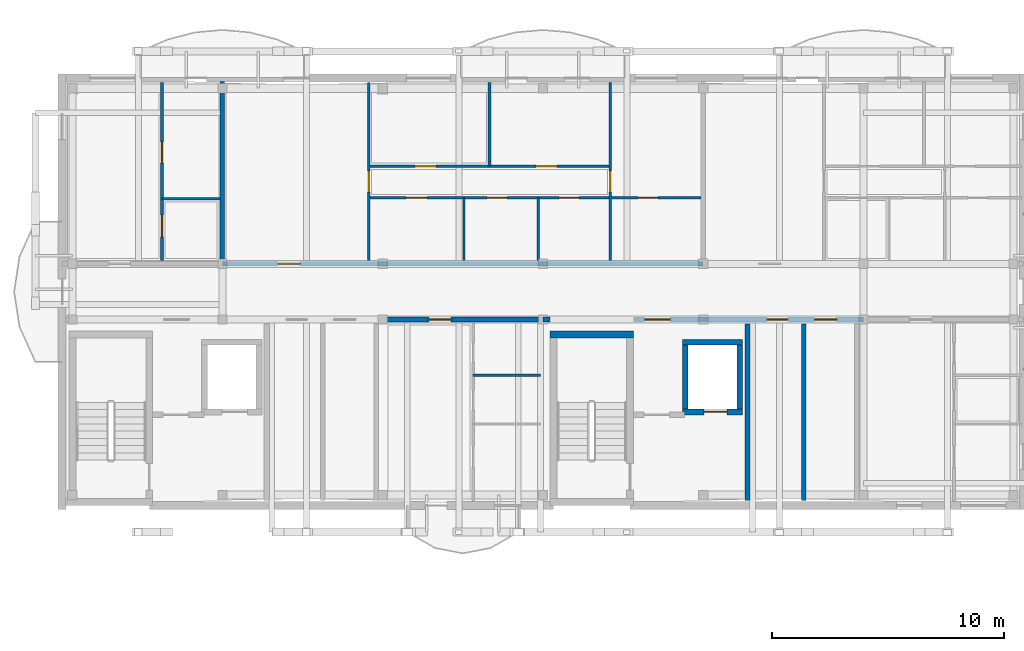
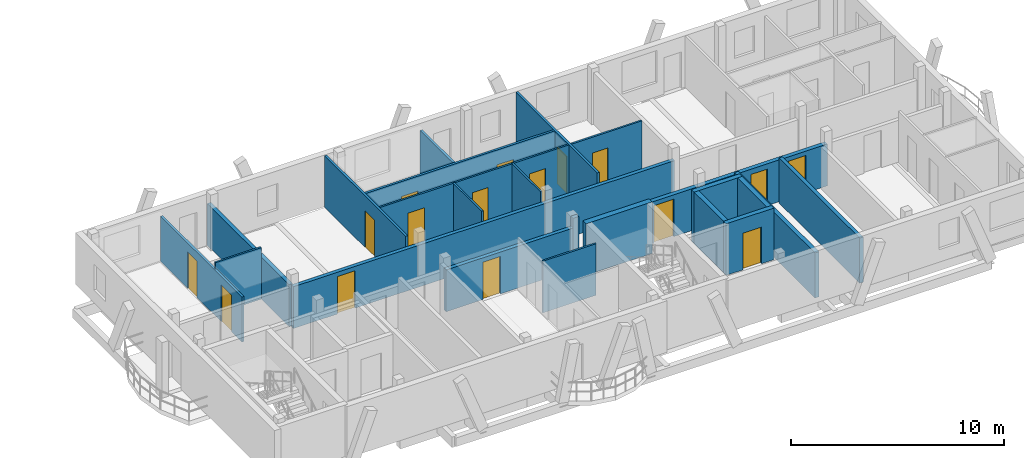
# One storey, part 22 of 33: 22 walls, 16 doors, 16 openings.
"""IFC4 building model written with IfcOpenShell, lengths in metres."""

from ifc_helpers import new_model, si_unit, direction, frame, frame_2d, origin, origin_with_axes, place, context, subcontext, project, spatial, rectangle, extrude, material, layer, layer_set, type_object, element, fill, save


model = new_model("IFC4")

# Units and contexts
model_context = context("Model", 3, precision=1e-05, world=origin(), true_north=direction((0.0, 1.0)))
body_context = subcontext(model_context, "Body", "Model", "MODEL_VIEW")
ifc_project = project(units=[si_unit("LENGTHUNIT", "METRE"), si_unit("AREAUNIT", "SQUARE_METRE"), si_unit("VOLUMEUNIT", "CUBIC_METRE"), si_unit("PLANEANGLEUNIT", "RADIAN"), si_unit("MASSUNIT", "GRAM", prefix="KILO")], contexts=[model_context])

# Site, building, storey
site_placement = place(None, origin())
site = spatial("IfcSite", under=ifc_project, at=site_placement, CompositionType="ELEMENT")
building_placement = place(site_placement, origin())
building = spatial("IfcBuilding", under=site, at=building_placement, Name="Zavelmont Quarter", CompositionType="ELEMENT")
storey_placement = place(building_placement, frame((0.0, 0.0, 30.39990234375)))
storey = spatial("IfcBuildingStorey", under=building, at=storey_placement, Name="L09", CompositionType="ELEMENT", Elevation=30.39990234375)

# Walls
ifc_material_1 = material(Name="Calcium-silicate blockwork and acoustic plaster", Category="masonry")
ifc_layer_1 = layer(ifc_material_1, 0.199951171875)
ifc_layer_set_1 = layer_set([ifc_layer_1], Name="Calcium-silicate blockwork and acoustic plaster")
wall_type_1 = type_object("IfcWallType", Name="IW01", PredefinedType="PARTITIONING", material=ifc_layer_set_1)
wall_1_placement = place(storey_placement, frame((158.52490234375, 97.800048828125, 0.0), z_axis=(0.0, 0.0, 1.0), x_axis=(0.0, 1.0, 0.0)))
element("IfcWall", 1, at=wall_1_placement, inside=storey, type_object=wall_type_1, Name="L09 Service riser divider wall IW01", PredefinedType="PARTITIONING", context=body_context, shape_type="SweptSolid", body=[
    extrude(rectangle(XDim=7.599853515625, YDim=0.199951171875, at=frame_2d((3.7998046875, 0.0))), origin(), (0.0, 0.0, 1.0), 2.590087890625),
])
wall_2_placement = place(storey_placement, frame((133.5, 108.14990234375, 0.0), z_axis=(0.0, 0.0, 1.0), x_axis=(0.0, 1.0, 0.0)))
element("IfcWall", 2, at=wall_2_placement, inside=storey, type_object=wall_type_1, Name="L09 Inter-dwelling compartment wall IW01", PredefinedType="PARTITIONING", context=body_context, shape_type="SweptSolid", body=[
    extrude(rectangle(XDim=7.7001953125, YDim=0.199951171875, at=frame_2d((3.85009765625, 0.0))), origin(), (0.0, 0.0, 1.0), 2.400146484375),
])

# Wall, opening, door
wall_3_placement = place(storey_placement, frame((133.5, 108.0, 0.0), z_axis=(0.0, 0.0, 1.0), x_axis=(1.0, 0.0, 0.0)))
wall_3 = element("IfcWall", 3, at=wall_3_placement, inside=storey, type_object=wall_type_1, Name="L09 Corridor compartment wall IW01", PredefinedType="PARTITIONING", context=body_context, shape_type="SweptSolid", body=[
    extrude(rectangle(XDim=20.699951171875, YDim=0.199951171875, at=frame_2d((10.35009765625, 0.0))), origin(), (0.0, 0.0, 1.0), 2.400146484375),
])
opening_1_placement = place(wall_3_placement, frame((2.39990234375, 0.0, 0.0)))
opening_1 = element("IfcOpeningElement", 4, at=opening_1_placement, cuts=wall_3, Name="Opening DR02", PredefinedType="OPENING", context=body_context, shape_type="SweptSolid", body=[
    extrude(rectangle(XDim=0.949951171875, YDim=2.14990234375, at=frame_2d((0.47509765625, 1.074951171875))), frame((0.0, 0.11181640625, 0.0), z_axis=(0.0, -1.0, 0.0), x_axis=(1.0, 0.0, 0.0)), (0.0, 0.0, 1.0), 0.223876953125),
])
ifc_material_2 = material(Name="Solid-core oak fire leaf in steel frame", Category="steel")
door_type_1 = type_object("IfcDoorType", Name="DR02", OperationType="NOTDEFINED", PredefinedType="DOOR", material=ifc_material_2)
door_1_placement = place(opening_1_placement, origin_with_axes())
door_1 = element("IfcDoor", 5, at=door_1_placement, inside=storey, type_object=door_type_1, Name="L09 door DR02", OperationType="SINGLE_SWING_LEFT", OverallHeight=2.14990234375, OverallWidth=0.949951171875, PredefinedType="DOOR", context=body_context, shape_type="SweptSolid", body=[
    extrude(rectangle(XDim=0.949951171875, YDim=2.14990234375, at=frame_2d((0.47509765625, 1.074951171875))), frame((0.0, 0.02490234375, 0.0), z_axis=(0.0, -1.0, 0.0), x_axis=(1.0, 0.0, 0.0)), (0.0, 0.0, 1.0), 0.050048828125),
])
fill(opening_1, door_1)

wall_4_placement = place(storey_placement, frame((140.39990234375, 105.60009765625, 0.0), z_axis=(0.0, 0.0, 1.0), x_axis=(1.0, 0.0, 0.0)))
wall_4 = element("IfcWall", 6, at=wall_4_placement, inside=storey, type_object=wall_type_1, Name="L09 Corridor compartment wall IW01", PredefinedType="PARTITIONING", context=body_context, shape_type="SweptSolid", body=[
    extrude(rectangle(XDim=6.900146484375, YDim=0.199951171875, at=frame_2d((3.4501953125, 0.0))), origin(), (0.0, 0.0, 1.0), 2.400146484375),
])
opening_2_placement = place(wall_4_placement, frame((2.0, 0.0, 0.0)))
opening_2 = element("IfcOpeningElement", 7, at=opening_2_placement, cuts=wall_4, Name="Opening DR02", PredefinedType="OPENING", context=body_context, shape_type="SweptSolid", body=[
    extrude(rectangle(XDim=0.949951171875, YDim=2.14990234375, at=frame_2d((0.47509765625, 1.074951171875))), frame((0.0, 0.11181640625, 0.0), z_axis=(0.0, -1.0, 0.0), x_axis=(1.0, 0.0, 0.0)), (0.0, 0.0, 1.0), 0.223876953125),
])
door_2_placement = place(opening_2_placement, frame((0.949951171875, 0.0, 0.0), z_axis=(0.0, 0.0, 1.0), x_axis=(-1.0, 0.0, 0.0)))
door_2 = element("IfcDoor", 8, at=door_2_placement, inside=storey, type_object=door_type_1, Name="L09 door DR02", OperationType="SINGLE_SWING_LEFT", OverallHeight=2.14990234375, OverallWidth=0.949951171875, PredefinedType="DOOR", context=body_context, shape_type="SweptSolid", body=[
    extrude(rectangle(XDim=0.949951171875, YDim=2.14990234375, at=frame_2d((0.47509765625, 1.074951171875))), frame((0.0, 0.02490234375, 0.0), z_axis=(0.0, -1.0, 0.0), x_axis=(1.0, 0.0, 0.0)), (0.0, 0.0, 1.0), 0.050048828125),
])
fill(opening_2, door_2)

# Walls
ifc_material_3 = material(Name="Reinforced masonry fire compartment wall", Category="masonry")
ifc_layer_2 = layer(ifc_material_3, 0.22509765625)
ifc_layer_set_2 = layer_set([ifc_layer_2], Name="Reinforced masonry fire compartment wall")
wall_type_2 = type_object("IfcWallType", Name="IW02", PredefinedType="PARTITIONING", material=ifc_layer_set_2)
wall_5_placement = place(storey_placement, frame((156.110107421875, 97.800048828125, 0.0), z_axis=(0.0, 0.0, 1.0), x_axis=(0.0, 1.0, 0.0)))
element("IfcWall", 9, at=wall_5_placement, inside=storey, type_object=wall_type_2, Name="L09 Firefighting lobby enclosure wall IW02", PredefinedType="PARTITIONING", context=body_context, shape_type="SweptSolid", body=[
    extrude(rectangle(XDim=7.599853515625, YDim=0.22509765625, at=frame_2d((3.7998046875, 0.0))), origin(), (0.0, 0.0, 1.0), 2.590087890625),
])
wall_6_placement = place(storey_placement, frame((147.300048828125, 105.60009765625, 0.0), z_axis=(0.0, 0.0, 1.0), x_axis=(1.0, 0.0, 0.0)))
element("IfcWall", 10, at=wall_6_placement, inside=storey, type_object=wall_type_2, Name="L09 Core corridor wall IW02", PredefinedType="PARTITIONING", context=body_context, shape_type="SweptSolid", body=[
    extrude(rectangle(XDim=0.300048828125, YDim=0.22509765625, at=frame_2d((0.14990234375, 0.0))), origin(), (0.0, 0.0, 1.0), 2.960205078125),
])

# Wall, openings, doors
wall_7_placement = place(storey_placement, frame((151.199951171875, 105.60009765625, 0.0), z_axis=(0.0, 0.0, 1.0), x_axis=(1.0, 0.0, 0.0)))
wall_7 = element("IfcWall", 11, at=wall_7_placement, inside=storey, type_object=wall_type_2, Name="L09 Core corridor fire wall IW02", PredefinedType="PARTITIONING", context=body_context, shape_type="SweptSolid", body=[
    extrude(rectangle(XDim=9.900146484375, YDim=0.22509765625, at=frame_2d((4.9501953125, 0.0))), origin(), (0.0, 0.0, 1.0), 2.400146484375),
])
opening_3_placement = place(wall_7_placement, frame((0.47509765625, 0.0, 0.0)))
opening_3 = element("IfcOpeningElement", 12, at=opening_3_placement, cuts=wall_7, Name="Opening DR10", PredefinedType="OPENING", context=body_context, shape_type="SweptSolid", body=[
    extrude(rectangle(XDim=1.10009765625, YDim=2.14990234375, at=frame_2d((0.550048828125, 1.074951171875))), frame((0.0, 0.12451171875, 0.0), z_axis=(0.0, -1.0, 0.0), x_axis=(1.0, 0.0, 0.0)), (0.0, 0.0, 1.0), 0.2490234375),
])
opening_4_placement = place(wall_7_placement, frame((5.75, 0.0, 0.0)))
opening_4 = element("IfcOpeningElement", 13, at=opening_4_placement, cuts=wall_7, Name="Opening DR11", PredefinedType="OPENING", context=body_context, shape_type="SweptSolid", body=[
    extrude(rectangle(XDim=0.89990234375, YDim=2.10009765625, at=frame_2d((0.449951171875, 1.050048828125))), frame((0.0, 0.12451171875, 0.0), z_axis=(0.0, -1.0, 0.0), x_axis=(1.0, 0.0, 0.0)), (0.0, 0.0, 1.0), 0.2490234375),
])
opening_5_placement = place(wall_7_placement, frame((7.800048828125, 0.0, 0.0)))
opening_5 = element("IfcOpeningElement", 14, at=opening_5_placement, cuts=wall_7, Name="Opening DR02", PredefinedType="OPENING", context=body_context, shape_type="SweptSolid", body=[
    extrude(rectangle(XDim=0.949951171875, YDim=2.14990234375, at=frame_2d((0.47509765625, 1.074951171875))), frame((0.0, 0.12451171875, 0.0), z_axis=(0.0, -1.0, 0.0), x_axis=(1.0, 0.0, 0.0)), (0.0, 0.0, 1.0), 0.2490234375),
])
door_3_placement = place(opening_5_placement, origin_with_axes())
door_3 = element("IfcDoor", 15, at=door_3_placement, inside=storey, type_object=door_type_1, Name="Auxiliary store corridor door", OperationType="SINGLE_SWING_RIGHT", OverallHeight=2.14990234375, OverallWidth=0.949951171875, PredefinedType="DOOR", context=body_context, shape_type="SweptSolid", body=[
    extrude(rectangle(XDim=0.949951171875, YDim=2.14990234375, at=frame_2d((0.47509765625, 1.074951171875))), frame((0.0, 0.02490234375, 0.0), z_axis=(0.0, -1.0, 0.0), x_axis=(1.0, 0.0, 0.0)), (0.0, 0.0, 1.0), 0.050048828125),
])
fill(opening_5, door_3)
ifc_material_4 = material(Name="Painted steel lobby fire door", Category="steel")
door_type_2 = type_object("IfcDoorType", Name="DR10", OperationType="NOTDEFINED", PredefinedType="DOOR", material=ifc_material_4)
door_4_placement = place(opening_3_placement, frame((1.10009765625, 0.0, 0.0), z_axis=(0.0, 0.0, 1.0), x_axis=(-1.0, 0.0, 0.0)))
door_4 = element("IfcDoor", 16, at=door_4_placement, inside=storey, type_object=door_type_2, Name="Core vestibule fire door", OperationType="SINGLE_SWING_LEFT", OverallHeight=2.14990234375, OverallWidth=1.10009765625, PredefinedType="DOOR", context=body_context, shape_type="SweptSolid", body=[
    extrude(rectangle(XDim=1.10009765625, YDim=2.14990234375, at=frame_2d((0.550048828125, 1.074951171875))), frame((0.0, 0.02490234375, 0.0), z_axis=(0.0, -1.0, 0.0), x_axis=(1.0, 0.0, 0.0)), (0.0, 0.0, 1.0), 0.050048828125),
])
fill(opening_3, door_4)
ifc_material_5 = material(Name="Painted steel service-riser fire door", Category="steel")
door_type_3 = type_object("IfcDoorType", Name="DR11", OperationType="NOTDEFINED", PredefinedType="DOOR", material=ifc_material_5)
door_5_placement = place(opening_4_placement, origin_with_axes())
door_5 = element("IfcDoor", 17, at=door_5_placement, inside=storey, type_object=door_type_3, Name="Service riser fire door", OperationType="SINGLE_SWING_LEFT", OverallHeight=2.10009765625, OverallWidth=0.89990234375, PredefinedType="DOOR", context=body_context, shape_type="SweptSolid", body=[
    extrude(rectangle(XDim=0.89990234375, YDim=2.10009765625, at=frame_2d((0.449951171875, 1.050048828125))), frame((0.0, 0.02490234375, 0.0), z_axis=(0.0, -1.0, 0.0), x_axis=(1.0, 0.0, 0.0)), (0.0, 0.0, 1.0), 0.050048828125),
])
fill(opening_4, door_5)

ifc_material_6 = material(Name="Double gypsum board on acoustic steel stud", Category="steel")
ifc_layer_3 = layer(ifc_material_6, 0.125)
ifc_layer_set_3 = layer_set([ifc_layer_3], Name="Double gypsum board on acoustic steel stud")
wall_type_3 = type_object("IfcWallType", Name="IW03", PredefinedType="PARTITIONING", material=ifc_layer_set_3)
wall_8_placement = place(storey_placement, frame((130.89990234375, 108.14990234375, 0.0), z_axis=(0.0, 0.0, 1.0), x_axis=(0.0, 1.0, 0.0)))
wall_8 = element("IfcWall", 18, at=wall_8_placement, inside=storey, type_object=wall_type_3, Name="L09 Partition IW03", PredefinedType="PARTITIONING", context=body_context, shape_type="SweptSolid", body=[
    extrude(rectangle(XDim=7.650146484375, YDim=0.125, at=frame_2d((3.8251953125, 0.0))), origin(), (0.0, 0.0, 1.0), 2.590087890625),
])
opening_6_placement = place(wall_8_placement, frame((1.0, 0.0, 0.0)))
opening_6 = element("IfcOpeningElement", 19, at=opening_6_placement, cuts=wall_8, Name="Opening DR17", PredefinedType="OPENING", context=body_context, shape_type="SweptSolid", body=[
    extrude(rectangle(XDim=0.949951171875, YDim=2.10009765625, at=frame_2d((0.47509765625, 1.050048828125))), frame((0.0, 0.074462890625, 0.0), z_axis=(0.0, -1.0, 0.0), x_axis=(1.0, 0.0, 0.0)), (0.0, 0.0, 1.0), 0.14892578125),
])
opening_7_placement = place(wall_8_placement, frame((4.199951171875, 0.0, 0.0)))
opening_7 = element("IfcOpeningElement", 20, at=opening_7_placement, cuts=wall_8, Name="Opening DR05", PredefinedType="OPENING", context=body_context, shape_type="SweptSolid", body=[
    extrude(rectangle(XDim=0.89990234375, YDim=2.10009765625, at=frame_2d((0.449951171875, 1.050048828125))), frame((0.0, 0.074462890625, 0.0), z_axis=(0.0, -1.0, 0.0), x_axis=(1.0, 0.0, 0.0)), (0.0, 0.0, 1.0), 0.14892578125),
])
ifc_material_7 = material(Name="Engineered oak flush interior door")
door_type_4 = type_object("IfcDoorType", Name="DR05", OperationType="NOTDEFINED", PredefinedType="DOOR", material=ifc_material_7)
door_6_placement = place(opening_7_placement, frame((0.89990234375, 0.0, 0.0), z_axis=(0.0, 0.0, 1.0), x_axis=(-1.0, 0.0, 0.0)))
door_6 = element("IfcDoor", 21, at=door_6_placement, inside=storey, type_object=door_type_4, Name="L09 door DR05", OperationType="SINGLE_SWING_RIGHT", OverallHeight=2.10009765625, OverallWidth=0.89990234375, PredefinedType="DOOR", context=body_context, shape_type="SweptSolid", body=[
    extrude(rectangle(XDim=0.89990234375, YDim=2.10009765625, at=frame_2d((0.449951171875, 1.050048828125))), frame((0.0, 0.02490234375, 0.0), z_axis=(0.0, -1.0, 0.0), x_axis=(1.0, 0.0, 0.0)), (0.0, 0.0, 1.0), 0.050048828125),
])
fill(opening_7, door_6)
ifc_material_8 = material(Name="Accessible washroom flush door")
door_type_5 = type_object("IfcDoorType", Name="DR17", OperationType="NOTDEFINED", PredefinedType="DOOR", material=ifc_material_8)
door_7_placement = place(opening_6_placement, origin_with_axes())
door_7 = element("IfcDoor", 22, at=door_7_placement, inside=storey, type_object=door_type_5, Name="L09 door DR17", OperationType="SINGLE_SWING_LEFT", OverallHeight=2.10009765625, OverallWidth=0.949951171875, PredefinedType="DOOR", context=body_context, shape_type="SweptSolid", body=[
    extrude(rectangle(XDim=0.949951171875, YDim=2.10009765625, at=frame_2d((0.47509765625, 1.050048828125))), frame((0.0, 0.02490234375, 0.0), z_axis=(0.0, -1.0, 0.0), x_axis=(1.0, 0.0, 0.0)), (0.0, 0.0, 1.0), 0.050048828125),
])
fill(opening_6, door_7)

# Wall, opening, door
wall_9_placement = place(storey_placement, frame((139.800048828125, 108.14990234375, 0.0), z_axis=(0.0, 0.0, 1.0), x_axis=(0.0, 1.0, 0.0)))
wall_9 = element("IfcWall", 23, at=wall_9_placement, inside=storey, type_object=wall_type_3, Name="L09 Partition IW03", PredefinedType="PARTITIONING", context=body_context, shape_type="SweptSolid", body=[
    extrude(rectangle(XDim=7.650146484375, YDim=0.125, at=frame_2d((3.8251953125, 0.0))), origin(), (0.0, 0.0, 1.0), 2.960205078125),
])
opening_8_placement = place(wall_9_placement, frame((2.949951171875, 0.0, 0.0)))
opening_8 = element("IfcOpeningElement", 24, at=opening_8_placement, cuts=wall_9, Name="Opening DR05", PredefinedType="OPENING", context=body_context, shape_type="SweptSolid", body=[
    extrude(rectangle(XDim=0.89990234375, YDim=2.10009765625, at=frame_2d((0.449951171875, 1.050048828125))), frame((0.0, 0.074462890625, 0.0), z_axis=(0.0, -1.0, 0.0), x_axis=(1.0, 0.0, 0.0)), (0.0, 0.0, 1.0), 0.14892578125),
])
door_8_placement = place(opening_8_placement, frame((0.89990234375, 0.0, 0.0), z_axis=(0.0, 0.0, 1.0), x_axis=(-1.0, 0.0, 0.0)))
door_8 = element("IfcDoor", 25, at=door_8_placement, inside=storey, type_object=door_type_4, Name="L09 door DR05", OperationType="SINGLE_SWING_LEFT", OverallHeight=2.10009765625, OverallWidth=0.89990234375, PredefinedType="DOOR", context=body_context, shape_type="SweptSolid", body=[
    extrude(rectangle(XDim=0.89990234375, YDim=2.10009765625, at=frame_2d((0.449951171875, 1.050048828125))), frame((0.0, 0.02490234375, 0.0), z_axis=(0.0, -1.0, 0.0), x_axis=(1.0, 0.0, 0.0)), (0.0, 0.0, 1.0), 0.050048828125),
])
fill(opening_8, door_8)

# Wall
wall_10_placement = place(storey_placement, frame((145.0, 112.199951171875, 0.0), z_axis=(0.0, 0.0, 1.0), x_axis=(0.0, 1.0, 0.0)))
element("IfcWall", 26, at=wall_10_placement, inside=storey, type_object=wall_type_3, Name="L09 Partition IW03", PredefinedType="PARTITIONING", context=body_context, shape_type="SweptSolid", body=[
    extrude(rectangle(XDim=3.60009765625, YDim=0.125, at=frame_2d((1.800048828125, 0.0))), origin(), (0.0, 0.0, 1.0), 2.590087890625),
])

# Wall, opening, door
wall_11_placement = place(storey_placement, frame((150.199951171875, 108.14990234375, 0.0), z_axis=(0.0, 0.0, 1.0), x_axis=(0.0, 1.0, 0.0)))
wall_11 = element("IfcWall", 27, at=wall_11_placement, inside=storey, type_object=wall_type_3, Name="L09 Partition IW03", PredefinedType="PARTITIONING", context=body_context, shape_type="SweptSolid", body=[
    extrude(rectangle(XDim=7.650146484375, YDim=0.125, at=frame_2d((3.8251953125, 0.0))), origin(), (0.0, 0.0, 1.0), 2.960205078125),
])
opening_9_placement = place(wall_11_placement, frame((2.949951171875, 0.0, 0.0)))
opening_9 = element("IfcOpeningElement", 28, at=opening_9_placement, cuts=wall_11, Name="Opening DR05", PredefinedType="OPENING", context=body_context, shape_type="SweptSolid", body=[
    extrude(rectangle(XDim=0.89990234375, YDim=2.10009765625, at=frame_2d((0.449951171875, 1.050048828125))), frame((0.0, 0.074462890625, 0.0), z_axis=(0.0, -1.0, 0.0), x_axis=(1.0, 0.0, 0.0)), (0.0, 0.0, 1.0), 0.14892578125),
])
door_9_placement = place(opening_9_placement, origin_with_axes())
door_9 = element("IfcDoor", 29, at=door_9_placement, inside=storey, type_object=door_type_4, Name="L09 door DR05", OperationType="SINGLE_SWING_RIGHT", OverallHeight=2.10009765625, OverallWidth=0.89990234375, PredefinedType="DOOR", context=body_context, shape_type="SweptSolid", body=[
    extrude(rectangle(XDim=0.89990234375, YDim=2.10009765625, at=frame_2d((0.449951171875, 1.050048828125))), frame((0.0, 0.02490234375, 0.0), z_axis=(0.0, -1.0, 0.0), x_axis=(1.0, 0.0, 0.0)), (0.0, 0.0, 1.0), 0.050048828125),
])
fill(opening_9, door_9)

# Wall, openings, doors
wall_12_placement = place(storey_placement, frame((139.800048828125, 112.199951171875, 0.0), z_axis=(0.0, 0.0, 1.0), x_axis=(1.0, 0.0, 0.0)))
wall_12 = element("IfcWall", 30, at=wall_12_placement, inside=storey, type_object=wall_type_3, Name="L09 Partition IW03", PredefinedType="PARTITIONING", context=body_context, shape_type="SweptSolid", body=[
    extrude(rectangle(XDim=10.39990234375, YDim=0.125, at=frame_2d((5.199951171875, 0.0))), origin(), (0.0, 0.0, 1.0), 2.960205078125),
])
opening_10_placement = place(wall_12_placement, frame((2.0, 0.0, 0.0)))
opening_10 = element("IfcOpeningElement", 31, at=opening_10_placement, cuts=wall_12, Name="Opening DR05", PredefinedType="OPENING", context=body_context, shape_type="SweptSolid", body=[
    extrude(rectangle(XDim=0.89990234375, YDim=2.10009765625, at=frame_2d((0.449951171875, 1.050048828125))), frame((0.0, 0.074462890625, 0.0), z_axis=(0.0, -1.0, 0.0), x_axis=(1.0, 0.0, 0.0)), (0.0, 0.0, 1.0), 0.14892578125),
])
opening_11_placement = place(wall_12_placement, frame((7.199951171875, 0.0, 0.0)))
opening_11 = element("IfcOpeningElement", 32, at=opening_11_placement, cuts=wall_12, Name="Opening DR05", PredefinedType="OPENING", context=body_context, shape_type="SweptSolid", body=[
    extrude(rectangle(XDim=0.89990234375, YDim=2.10009765625, at=frame_2d((0.449951171875, 1.050048828125))), frame((0.0, 0.074462890625, 0.0), z_axis=(0.0, -1.0, 0.0), x_axis=(1.0, 0.0, 0.0)), (0.0, 0.0, 1.0), 0.14892578125),
])
door_10_placement = place(opening_10_placement, frame((0.89990234375, 0.0, 0.0), z_axis=(0.0, 0.0, 1.0), x_axis=(-1.0, 0.0, 0.0)))
door_10 = element("IfcDoor", 33, at=door_10_placement, inside=storey, type_object=door_type_4, Name="L09 door DR05", OperationType="SINGLE_SWING_LEFT", OverallHeight=2.10009765625, OverallWidth=0.89990234375, PredefinedType="DOOR", context=body_context, shape_type="SweptSolid", body=[
    extrude(rectangle(XDim=0.89990234375, YDim=2.10009765625, at=frame_2d((0.449951171875, 1.050048828125))), frame((0.0, 0.02490234375, 0.0), z_axis=(0.0, -1.0, 0.0), x_axis=(1.0, 0.0, 0.0)), (0.0, 0.0, 1.0), 0.050048828125),
])
fill(opening_10, door_10)
door_11_placement = place(opening_11_placement, origin_with_axes())
door_11 = element("IfcDoor", 34, at=door_11_placement, inside=storey, type_object=door_type_4, Name="L09 door DR05", OperationType="SINGLE_SWING_RIGHT", OverallHeight=2.10009765625, OverallWidth=0.89990234375, PredefinedType="DOOR", context=body_context, shape_type="SweptSolid", body=[
    extrude(rectangle(XDim=0.89990234375, YDim=2.10009765625, at=frame_2d((0.449951171875, 1.050048828125))), frame((0.0, 0.02490234375, 0.0), z_axis=(0.0, -1.0, 0.0), x_axis=(1.0, 0.0, 0.0)), (0.0, 0.0, 1.0), 0.050048828125),
])
fill(opening_11, door_11)

# Walls
ifc_material_9 = material(Name="Moisture-resistant gypsum board on steel stud", Category="steel")
ifc_layer_4 = layer(ifc_material_9, 0.10009765625)
ifc_layer_set_4 = layer_set([ifc_layer_4], Name="Moisture-resistant gypsum board on steel stud")
wall_type_4 = type_object("IfcWallType", Name="IW04", PredefinedType="PARTITIONING", material=ifc_layer_set_4)
wall_13_placement = place(storey_placement, frame((130.89990234375, 110.800048828125, 0.0), z_axis=(0.0, 0.0, 1.0), x_axis=(1.0, 0.0, 0.0)))
element("IfcWall", 35, at=wall_13_placement, inside=storey, type_object=wall_type_4, Name="L09 Partition IW04", PredefinedType="PARTITIONING", context=body_context, shape_type="SweptSolid", body=[
    extrude(rectangle(XDim=2.5, YDim=0.10009765625, at=frame_2d((1.25, 0.0))), origin(), (0.0, 0.0, 1.0), 2.960205078125),
])
for number, where, z_axis, x_axis, name in (
    (36, (143.89990234375, 108.14990234375, 0.0), (0.0, 0.0, 1.0), (0.0, 1.0, 0.0), "L09 Partition IW04"),
    (37, (147.10009765625, 108.14990234375, 0.0), (0.0, 0.0, 1.0), (0.0, 1.0, 0.0), "L09 Partition IW04"),
):
    element("IfcWall", number, at=place(storey_placement, frame(where, z_axis=z_axis, x_axis=x_axis)), inside=storey, type_object=wall_type_4, Name=name, PredefinedType="PARTITIONING", context=body_context, shape_type="SweptSolid", body=[
        extrude(rectangle(XDim=2.7001953125, YDim=0.10009765625, at=frame_2d((1.35009765625, 0.0))), origin(), (0.0, 0.0, 1.0), 2.960205078125),
    ])

# Wall, openings, doors
wall_14_placement = place(storey_placement, frame((139.800048828125, 110.85009765625, 0.0), z_axis=(0.0, 0.0, 1.0), x_axis=(1.0, 0.0, 0.0)))
wall_14 = element("IfcWall", 38, at=wall_14_placement, inside=storey, type_object=wall_type_4, Name="L09 Partition IW04", PredefinedType="PARTITIONING", context=body_context, shape_type="SweptSolid", body=[
    extrude(rectangle(XDim=14.300048828125, YDim=0.10009765625, at=frame_2d((7.14990234375, 0.0))), origin(), (0.0, 0.0, 1.0), 2.960205078125),
])
opening_12_placement = place(wall_14_placement, frame((1.60009765625, 0.0, 0.0)))
opening_12 = element("IfcOpeningElement", 39, at=opening_12_placement, cuts=wall_14, Name="Opening DR05", PredefinedType="OPENING", context=body_context, shape_type="SweptSolid", body=[
    extrude(rectangle(XDim=0.89990234375, YDim=2.10009765625, at=frame_2d((0.449951171875, 1.050048828125))), frame((0.0, 0.06201171875, 0.0), z_axis=(0.0, -1.0, 0.0), x_axis=(1.0, 0.0, 0.0)), (0.0, 0.0, 1.0), 0.1240234375),
])
opening_13_placement = place(wall_14_placement, frame((5.10009765625, 0.0, 0.0)))
opening_13 = element("IfcOpeningElement", 40, at=opening_13_placement, cuts=wall_14, Name="Opening DR06", PredefinedType="OPENING", context=body_context, shape_type="SweptSolid", body=[
    extrude(rectangle(XDim=0.85009765625, YDim=2.050048828125, at=frame_2d((0.425048828125, 1.02490234375))), frame((0.0, 0.06201171875, 0.0), z_axis=(0.0, -1.0, 0.0), x_axis=(1.0, 0.0, 0.0)), (0.0, 0.0, 1.0), 0.1240234375),
])
opening_14_placement = place(wall_14_placement, frame((8.199951171875, 0.0, 0.0)))
opening_14 = element("IfcOpeningElement", 41, at=opening_14_placement, cuts=wall_14, Name="Opening DR06", PredefinedType="OPENING", context=body_context, shape_type="SweptSolid", body=[
    extrude(rectangle(XDim=0.85009765625, YDim=2.050048828125, at=frame_2d((0.425048828125, 1.02490234375))), frame((0.0, 0.06201171875, 0.0), z_axis=(0.0, -1.0, 0.0), x_axis=(1.0, 0.0, 0.0)), (0.0, 0.0, 1.0), 0.1240234375),
])
opening_15_placement = place(wall_14_placement, frame((11.60009765625, 0.0, 0.0)))
opening_15 = element("IfcOpeningElement", 42, at=opening_15_placement, cuts=wall_14, Name="Opening DR06", PredefinedType="OPENING", context=body_context, shape_type="SweptSolid", body=[
    extrude(rectangle(XDim=0.85009765625, YDim=2.050048828125, at=frame_2d((0.425048828125, 1.02490234375))), frame((0.0, 0.06201171875, 0.0), z_axis=(0.0, -1.0, 0.0), x_axis=(1.0, 0.0, 0.0)), (0.0, 0.0, 1.0), 0.1240234375),
])
door_12_placement = place(opening_12_placement, frame((0.89990234375, 0.0, 0.0), z_axis=(0.0, 0.0, 1.0), x_axis=(-1.0, 0.0, 0.0)))
door_12 = element("IfcDoor", 43, at=door_12_placement, inside=storey, type_object=door_type_4, Name="L09 door DR05", OperationType="SINGLE_SWING_LEFT", OverallHeight=2.10009765625, OverallWidth=0.89990234375, PredefinedType="DOOR", context=body_context, shape_type="SweptSolid", body=[
    extrude(rectangle(XDim=0.89990234375, YDim=2.10009765625, at=frame_2d((0.449951171875, 1.050048828125))), frame((0.0, 0.02490234375, 0.0), z_axis=(0.0, -1.0, 0.0), x_axis=(1.0, 0.0, 0.0)), (0.0, 0.0, 1.0), 0.050048828125),
])
fill(opening_12, door_12)
ifc_material_10 = material(Name="Moisture-resistant painted wet-room door")
door_type_6 = type_object("IfcDoorType", Name="DR06", OperationType="NOTDEFINED", PredefinedType="DOOR", material=ifc_material_10)
door_13_placement = place(opening_13_placement, origin_with_axes())
door_13 = element("IfcDoor", 44, at=door_13_placement, inside=storey, type_object=door_type_6, Name="L09 door DR06", OperationType="SINGLE_SWING_RIGHT", OverallHeight=2.050048828125, OverallWidth=0.85009765625, PredefinedType="DOOR", context=body_context, shape_type="SweptSolid", body=[
    extrude(rectangle(XDim=0.85009765625, YDim=2.050048828125, at=frame_2d((0.425048828125, 1.02490234375))), frame((0.0, 0.02490234375, 0.0), z_axis=(0.0, -1.0, 0.0), x_axis=(1.0, 0.0, 0.0)), (0.0, 0.0, 1.0), 0.050048828125),
])
fill(opening_13, door_13)
door_14_placement = place(opening_14_placement, frame((0.85009765625, 0.0, 0.0), z_axis=(0.0, 0.0, 1.0), x_axis=(-1.0, 0.0, 0.0)))
door_14 = element("IfcDoor", 45, at=door_14_placement, inside=storey, type_object=door_type_6, Name="L09 door DR06", OperationType="SINGLE_SWING_LEFT", OverallHeight=2.050048828125, OverallWidth=0.85009765625, PredefinedType="DOOR", context=body_context, shape_type="SweptSolid", body=[
    extrude(rectangle(XDim=0.85009765625, YDim=2.050048828125, at=frame_2d((0.425048828125, 1.02490234375))), frame((0.0, 0.02490234375, 0.0), z_axis=(0.0, -1.0, 0.0), x_axis=(1.0, 0.0, 0.0)), (0.0, 0.0, 1.0), 0.050048828125),
])
fill(opening_14, door_14)
door_15_placement = place(opening_15_placement, origin_with_axes())
door_15 = element("IfcDoor", 46, at=door_15_placement, inside=storey, type_object=door_type_6, Name="L09 door DR06", OperationType="SINGLE_SWING_RIGHT", OverallHeight=2.050048828125, OverallWidth=0.85009765625, PredefinedType="DOOR", context=body_context, shape_type="SweptSolid", body=[
    extrude(rectangle(XDim=0.85009765625, YDim=2.050048828125, at=frame_2d((0.425048828125, 1.02490234375))), frame((0.0, 0.02490234375, 0.0), z_axis=(0.0, -1.0, 0.0), x_axis=(1.0, 0.0, 0.0)), (0.0, 0.0, 1.0), 0.050048828125),
])
fill(opening_15, door_15)

# Walls
wall_15_placement = place(storey_placement, frame((144.300048828125, 103.199951171875, 0.0), z_axis=(0.0, 0.0, 1.0), x_axis=(1.0, 0.0, 0.0)))
element("IfcWall", 47, at=wall_15_placement, inside=storey, type_object=wall_type_4, Name="L09 Partition IW04", PredefinedType="PARTITIONING", context=body_context, shape_type="SweptSolid", body=[
    extrude(rectangle(XDim=2.89990234375, YDim=0.10009765625, at=frame_2d((1.449951171875, 0.0))), origin(), (0.0, 0.0, 1.0), 2.960205078125),
])
ifc_material_11 = material(Name="Concrete C40/50", Category="concrete")
ifc_layer_5 = layer(ifc_material_11, 0.300048828125)
ifc_layer_set_5 = layer_set([ifc_layer_5], Name="Concrete C40/50")
wall_type_5 = type_object("IfcWallType", Name="SW01", PredefinedType="SHEAR", material=ifc_layer_set_5)
wall_16_placement = place(storey_placement, frame((147.60009765625, 104.949951171875, 0.0), z_axis=(0.0, 0.0, 1.0), x_axis=(1.0, 0.0, 0.0)))
element("IfcWall", 48, at=wall_16_placement, inside=storey, type_object=wall_type_5, Name="L09 ST06 corridor shear wall SW01", PredefinedType="SHEAR", context=body_context, shape_type="SweptSolid", body=[
    extrude(rectangle(XDim=3.599853515625, YDim=0.300048828125, at=frame_2d((1.7998046875, 0.0))), origin(), (0.0, 0.0, 1.0), 2.960205078125),
])

# Wall, opening, door
ifc_layer_6 = layer(ifc_material_11, 0.25)
ifc_layer_set_6 = layer_set([ifc_layer_6], Name="Concrete C40/50")
wall_type_6 = type_object("IfcWallType", Name="SW02", PredefinedType="SHEAR", material=ifc_layer_set_6)
wall_17_placement = place(storey_placement, frame((153.300048828125, 101.625, 0.0), z_axis=(0.0, 0.0, 1.0), x_axis=(1.0, 0.0, 0.0)))
wall_17 = element("IfcWall", 49, at=wall_17_placement, inside=storey, type_object=wall_type_6, Name="L09 Lift LF06 landing shaft wall SW02", PredefinedType="SHEAR", context=body_context, shape_type="SweptSolid", body=[
    extrude(rectangle(XDim=2.599853515625, YDim=0.25, at=frame_2d((1.2998046875, 0.0))), origin(), (0.0, 0.0, 1.0), 2.960205078125),
])
opening_16_placement = place(wall_17_placement, frame((0.925048828125, 0.0, 0.0)))
opening_16 = element("IfcOpeningElement", 50, at=opening_16_placement, cuts=wall_17, Name="Opening LD01", PredefinedType="OPENING", context=body_context, shape_type="SweptSolid", body=[
    extrude(rectangle(XDim=1.0, YDim=2.10009765625, at=frame_2d((0.5, 1.050048828125))), frame((0.0, 0.136962890625, 0.0), z_axis=(0.0, -1.0, 0.0), x_axis=(1.0, 0.0, 0.0)), (0.0, 0.0, 1.0), 0.27392578125),
])
ifc_material_12 = material(Name="Brushed stainless-steel automatic sliding landing door", Category="steel")
door_type_7 = type_object("IfcDoorType", Name="LD01", OperationType="SLIDING_TO_LEFT", PredefinedType="DOOR", material=ifc_material_12)
door_16_placement = place(opening_16_placement, origin_with_axes())
door_16 = element("IfcDoor", 51, at=door_16_placement, inside=storey, type_object=door_type_7, Name="Lift LF06 sliding landing door", OperationType="SLIDING_TO_LEFT", OverallHeight=2.10009765625, OverallWidth=1.0, PredefinedType="DOOR", context=body_context, shape_type="SweptSolid", body=[
    extrude(rectangle(XDim=1.0, YDim=2.10009765625, at=frame_2d((0.5, 1.050048828125))), frame((0.0, 0.02490234375, 0.0), z_axis=(0.0, -1.0, 0.0), x_axis=(1.0, 0.0, 0.0)), (0.0, 0.0, 1.0), 0.050048828125),
])
fill(opening_16, door_16)

# Walls
wall_18_placement = place(storey_placement, frame((153.300048828125, 104.625, 0.0), z_axis=(0.0, 0.0, 1.0), x_axis=(1.0, 0.0, 0.0)))
element("IfcWall", 52, at=wall_18_placement, inside=storey, type_object=wall_type_6, Name="L09 Lift LF06 back shaft wall SW02", PredefinedType="SHEAR", context=body_context, shape_type="SweptSolid", body=[
    extrude(rectangle(XDim=2.599853515625, YDim=0.25, at=frame_2d((1.2998046875, 0.0))), origin(), (0.0, 0.0, 1.0), 2.960205078125),
])
for number, where, z_axis, x_axis, name in (
    (53, (153.425048828125, 101.5, 0.0), (0.0, 0.0, 1.0), (0.0, 1.0, 0.0), "L09 Lift LF06 west shaft wall SW02"),
    (54, (155.77490234375, 101.5, 0.0), (0.0, 0.0, 1.0), (0.0, 1.0, 0.0), "L09 Lift LF06 east shaft wall SW02"),
):
    element("IfcWall", number, at=place(storey_placement, frame(where, z_axis=z_axis, x_axis=x_axis)), inside=storey, type_object=wall_type_6, Name=name, PredefinedType="SHEAR", context=body_context, shape_type="SweptSolid", body=[
        extrude(rectangle(XDim=3.25, YDim=0.25, at=frame_2d((1.625, 0.0))), origin(), (0.0, 0.0, 1.0), 2.960205078125),
    ])

save(model, "model.ifc")
